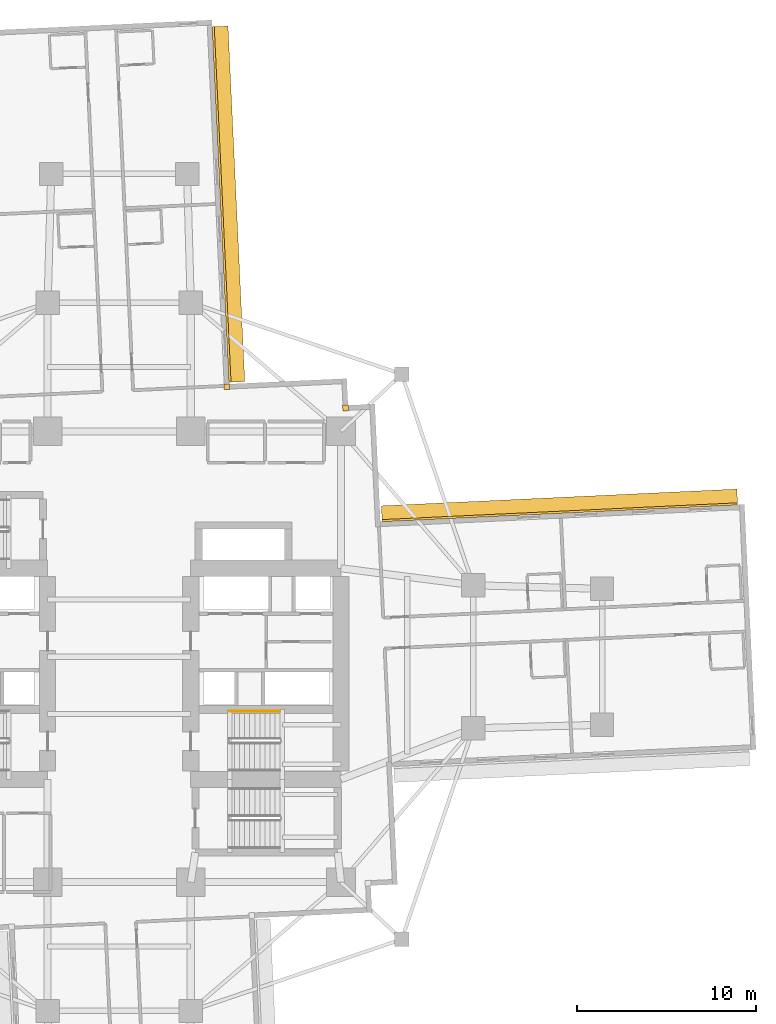
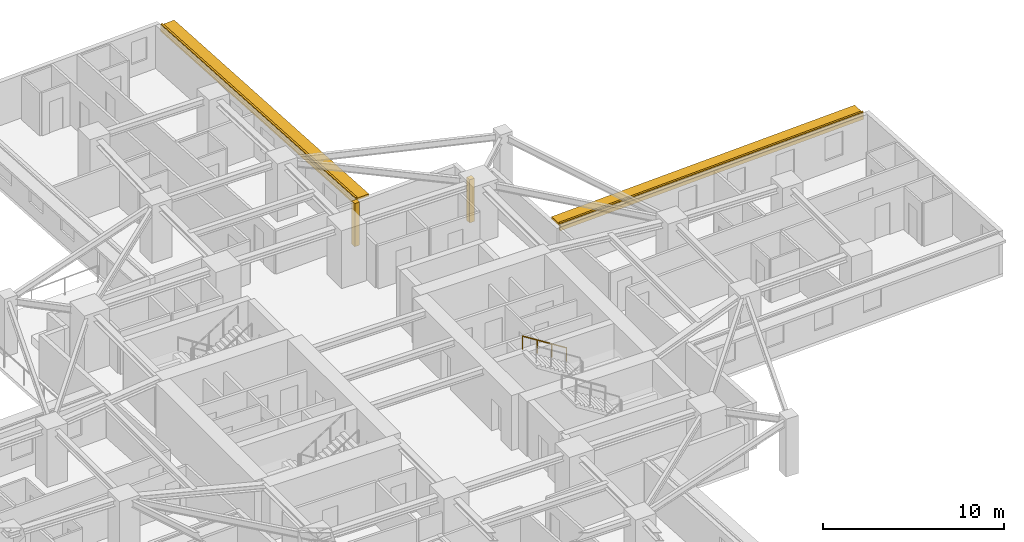
# One storey, part 14 of 14: 4 coverings, 2 shading devices, 1 railing.
"""IFC4 building model written with IfcOpenShell, lengths in metres."""

from ifc_helpers import new_model, si_unit, direction, frame, origin, origin_2d, place, context, subcontext, project, spatial, rectangle, circle, extrude, material, layer, layer_set, type_object, element, save


model = new_model("IFC4")

# Units and contexts
model_context = context("Model", 3, precision=1e-05, world=origin(), true_north=direction((0.0, 1.0)))
body_context = subcontext(model_context, "Body", "Model", "MODEL_VIEW")
ifc_project = project(units=[si_unit("LENGTHUNIT", "METRE"), si_unit("AREAUNIT", "SQUARE_METRE"), si_unit("VOLUMEUNIT", "CUBIC_METRE"), si_unit("PLANEANGLEUNIT", "RADIAN"), si_unit("MASSUNIT", "GRAM", prefix="KILO")], contexts=[model_context])

# Site, building, storey
site_placement = place(None, origin())
site = spatial("IfcSite", under=ifc_project, at=site_placement, CompositionType="ELEMENT")
building_placement = place(site_placement, origin())
building = spatial("IfcBuilding", under=site, at=building_placement, Name="Qingluan Cross Belvedere", CompositionType="ELEMENT")
storey_placement = place(building_placement, frame((0.0, 0.0, 35.39990234375)))
storey = spatial("IfcBuildingStorey", under=building, at=storey_placement, Name="L09", CompositionType="ELEMENT", Elevation=35.39990234375)

# Coverings
ifc_material_1 = material(Name="Precast concrete C45", Category="concrete")
ifc_layer_1 = layer(ifc_material_1, 0.1201171875, Name="ConcreteSpandrelCladding_120")
ifc_layer_set_1 = layer_set([ifc_layer_1], Name="Precast concrete C45")
covering_type = type_object("IfcCoveringType", Name="ConcreteSpandrelCladding_120", PredefinedType="CLADDING", material=ifc_layer_set_1)
for number, where, z_axis, x_axis, name in (
    (1, (24.63671875, 8.07958984375, 2.4501953125), (0.0, 0.0, 1.0), (-0.998889958255, -0.047104684445, 0.0), "Spandrel cladding L09-EB"),
    (2, (5.72509765625, 25.287841796875, 2.4501953125), (0.0, 0.0, 1.0), (-0.04710941444, 0.998889735192, 0.0), "Spandrel cladding L09-NA"),
):
    element("IfcCovering", number, at=place(storey_placement, frame(where, z_axis=z_axis, x_axis=x_axis)), inside=storey, type_object=covering_type, Name=name, PredefinedType="CLADDING", context=body_context, shape_type="SweptSolid", body=[
        extrude(rectangle(XDim=19.89990234375, YDim=0.1201171875, at=origin_2d()), origin(), (0.0, 0.0, 1.0), 0.52001953125),
    ])
for number, where, z_axis, x_axis, name in (
    (3, (12.65869140625, 13.911865234375, 0.0), (0.0, 0.0, 1.0), (0.998889874962, 0.04710645071, 0.0), "Corner closure L09-NE1"),
    (4, (6.015380859375, 15.10009765625, 0.0), (0.0, 0.0, 1.0), (0.998889874962, 0.04710645071, 0.0), "Corner closure L09-NE2"),
):
    element("IfcCovering", number, at=place(storey_placement, frame(where, z_axis=z_axis, x_axis=x_axis)), inside=storey, type_object=covering_type, Name=name, PredefinedType="CLADDING", context=body_context, shape_type="SweptSolid", body=[
        extrude(rectangle(XDim=0.320068359375, YDim=0.320068359375, at=origin_2d()), origin(), (0.0, 0.0, 1.0), 2.909912109375),
    ])

# Shading devices
ifc_material_2 = material(Name="Precast concrete C45", Category="concrete")
ifc_layer_2 = layer(ifc_material_2, 0.159912109375, Name="ConcreteSunshadeBand_900")
ifc_layer_set_2 = layer_set([ifc_layer_2], Name="Precast concrete C45")
shading_device_type = type_object("IfcShadingDeviceType", Name="ConcreteSunshadeBand_900", PredefinedType="USERDEFINED", material=ifc_layer_set_2)
for number, where, z_axis, x_axis, name in (
    (5, (24.618896484375, 8.458984375, 2.72998046875), (0.0, 0.0, 1.0), (-0.998889958255, -0.047104684445, 0.0), "Concrete SUNSHADE L09-EB"),
    (6, (6.104736328125, 25.3056640625, 2.72998046875), (0.0, 0.0, 1.0), (-0.04710941444, 0.998889735192, 0.0), "Concrete SUNSHADE L09-NA"),
):
    element("IfcShadingDevice", number, at=place(storey_placement, frame(where, z_axis=z_axis, x_axis=x_axis)), inside=storey, type_object=shading_device_type, Name=name, ObjectType="SUNSHADE", PredefinedType="USERDEFINED", context=body_context, shape_type="SweptSolid", body=[
        extrude(rectangle(XDim=19.89990234375, YDim=0.89990234375, at=origin_2d()), origin(), (0.0, 0.0, 1.0), 0.159912109375),
    ])

# Railing
ifc_material_3 = material(Name="Brushed stainless steel tubular handrail", Category="steel")
railing_type = type_object("IfcRailingType", Name="StairPitchHandrail_900", PredefinedType="HANDRAIL", material=ifc_material_3)
railing_placement = place(storey_placement, frame((8.97998046875, -3.050048828125, 2.12744140625)))
element("IfcRailing", 7, at=railing_placement, inside=storey, type_object=railing_type, Name="L09 ST2 stair handrail 2", PredefinedType="HANDRAIL", context=body_context, shape_type="SweptSolid", body=[
    extrude(circle(Radius=0.02392578125, at=origin_2d()), frame((0.0, 0.0, 0.8759765625), z_axis=(-0.844908973607, 0.0, 0.534910110503), x_axis=(0.0, -1.0, 0.0)), (0.0, 0.0, 1.0), 3.31396484375),
    extrude(circle(Radius=0.02099609375, at=origin_2d()), origin(), (0.0, 0.0, 1.0), 0.851806640625),
    extrude(circle(Radius=0.02099609375, at=origin_2d()), frame((-0.933349609375, 0.0, 0.5908203125)), (0.0, 0.0, 1.0), 0.851806640625),
    extrude(circle(Radius=0.02099609375, at=origin_2d()), frame((-1.86669921875, 0.0, 1.181884765625)), (0.0, 0.0, 1.0), 0.851806640625),
    extrude(circle(Radius=0.02099609375, at=origin_2d()), frame((-2.800048828125, 0.0, 1.772705078125)), (0.0, 0.0, 1.0), 0.851806640625),
])

save(model, "model.ifc")
